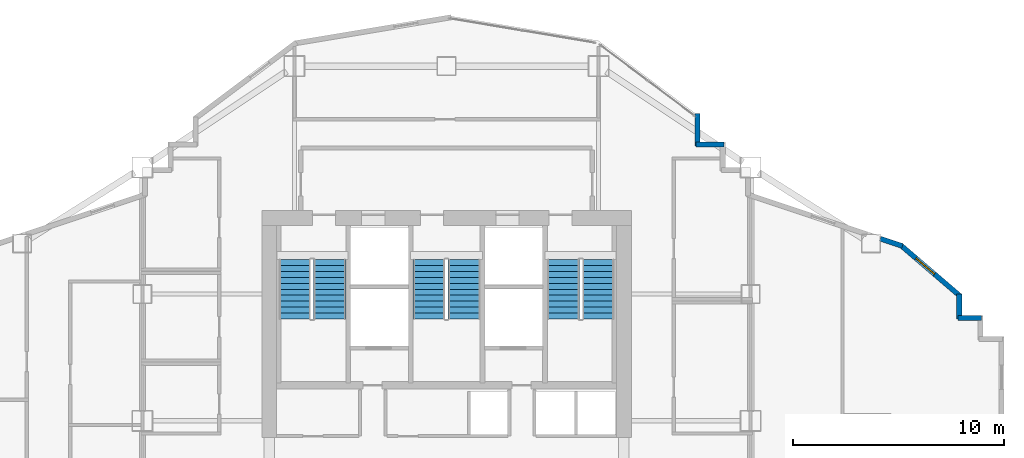
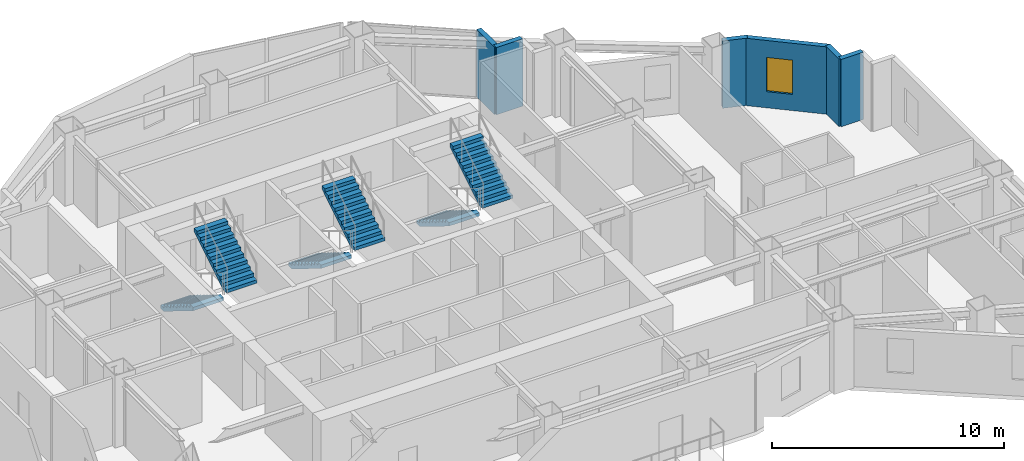
# One storey, part 12 of 14: 6 stair flights, 6 walls, 1 window, 1 opening, 3 elements without a shape of their own.
"""IFC4 building model written with IfcOpenShell, lengths in metres."""

import ifcopenshell
import ifcopenshell.guid

model = None  # the IFC model being written
_history = None  # IfcOwnerHistory: only IFC2X3 demands one
_inside = {}  # id of a spatial element -> (the spatial element, [elements in it])
_under = {}  # id of a project, library or spatial element -> (it, [spatial elements below it])
_declared = {}  # id of a project -> (the project, [libraries it declares])
_typed = {}  # id of a type object -> (the type object, [elements of that type])
_made_of = {}  # id of a material, layer set ... -> (it, [elements and type objects made of it])


def new_model(schema):
    """Start an empty IFC model of exactly this schema.

    Asked for "IFC4X3", IfcOpenShell would pick the latest addendum, in which some entities
    have other attributes; the version numbers below select the first issue.
    IFC2X3 requires an IfcOwnerHistory on every rooted entity: one is made here for all.
    """
    global model, _history
    if schema == "IFC4X3":
        model = ifcopenshell.file(schema_version=(4, 3, 0, 0))
    else:
        model = ifcopenshell.file(schema=schema)
    _inside.clear()
    _under.clear()
    _declared.clear()
    _typed.clear()
    _made_of.clear()
    _history = None
    if model.schema == "IFC2X3":
        org = make("IfcOrganization", Name="unknown")
        user = make(
            "IfcPersonAndOrganization",
            ThePerson=make("IfcPerson", FamilyName="unknown"),
            TheOrganization=org,
        )
        app = make(
            "IfcApplication",
            ApplicationDeveloper=org,
            Version="unknown",
            ApplicationFullName="unknown",
            ApplicationIdentifier="unknown",
        )
        _history = make(
            "IfcOwnerHistory",
            OwningUser=user,
            OwningApplication=app,
            ChangeAction="ADDED",
            CreationDate=0,
        )
    return model


def make(cls, **values):
    """One entity of the class cls with the attributes given. An attribute that is None is left unset."""
    return model.create_entity(
        cls, **{name: value for name, value in values.items() if value is not None}
    )


def rooted(cls, **values):
    """An entity with a GlobalId (a new one), such as an element, a storey or a relation."""
    return make(cls, GlobalId=ifcopenshell.guid.new(), OwnerHistory=_history, **values)


def si_unit(unit_type, name, prefix=None):
    """IfcSIUnit, for example si_unit("LENGTHUNIT", "METRE", prefix="MILLI")."""
    return make("IfcSIUnit", UnitType=unit_type, Prefix=prefix, Name=name)


def assignment(units):
    """IfcUnitAssignment: the units of a project."""
    return None if units is None else make("IfcUnitAssignment", Units=units)


def point(xyz):
    """IfcCartesianPoint."""
    return None if xyz is None else make("IfcCartesianPoint", Coordinates=xyz)


def direction(xyz):
    """IfcDirection."""
    return None if xyz is None else make("IfcDirection", DirectionRatios=xyz)


def frame(location, z_axis=None, x_axis=None):
    """IfcAxis2Placement3D, a coordinate frame: its origin and axes. An axis left out is left unset."""
    return make(
        "IfcAxis2Placement3D",
        Location=point(location),
        Axis=direction(z_axis),
        RefDirection=direction(x_axis),
    )


def frame_2d(location, x_axis=None):
    """IfcAxis2Placement2D, a coordinate frame in the plane: its origin and x axis."""
    return make(
        "IfcAxis2Placement2D", Location=point(location), RefDirection=direction(x_axis)
    )


def origin():
    """The frame at (0, 0, 0) with its axes left unset."""
    return frame((0.0, 0.0, 0.0))


def place(relative_to, where):
    """IfcLocalPlacement: puts the frame where relative to a parent placement (None: the world)."""
    return make(
        "IfcLocalPlacement", PlacementRelTo=relative_to, RelativePlacement=where
    )


def context(
    kind, dimensions, precision=None, world=None, true_north=None, identifier=None
):
    """IfcGeometricRepresentationContext, for example the 3D "Model" context."""
    return make(
        "IfcGeometricRepresentationContext",
        ContextIdentifier=identifier,
        ContextType=kind,
        CoordinateSpaceDimension=dimensions,
        Precision=precision,
        WorldCoordinateSystem=world,
        TrueNorth=true_north,
    )


def subcontext(parent, identifier, kind, view, scale=None):
    """IfcGeometricRepresentationSubContext, for example "Body" below "Model"."""
    return make(
        "IfcGeometricRepresentationSubContext",
        ContextIdentifier=identifier,
        ContextType=kind,
        ParentContext=parent,
        TargetScale=scale,
        TargetView=view,
    )


def project(units=None, contexts=None):
    """IfcProject with its units and contexts."""
    return rooted(
        "IfcProject",
        Name="project",
        RepresentationContexts=contexts,
        UnitsInContext=assignment(units),
    )


def spatial(cls, under=None, at=None, **own):
    """A site, building, storey or space (cls), placed at a placement, below another one or the project."""
    s = rooted(cls, ObjectPlacement=at, **own)
    if under is not None:
        _under.setdefault(under.id(), (under, []))[1].append(s)
    return s


def polyline(points):
    """IfcPolyline through the points."""
    return make("IfcPolyline", Points=[point(p) for p in points])


def profile(cls, at=None, kind="AREA", **sizes):
    """A parametric profile (cls). Its sizes go by their IFC names, for example OverallWidth=200.0."""
    return make(cls, ProfileType=kind, Position=at, **sizes)


def rectangle(**sizes):
    """IfcRectangleProfileDef."""
    return profile("IfcRectangleProfileDef", **sizes)


def outline(outer, holes=None, kind="AREA"):
    """IfcArbitraryClosedProfileDef: a profile drawn as a closed curve; with holes, ...WithVoids."""
    if holes is None:
        return make("IfcArbitraryClosedProfileDef", ProfileType=kind, OuterCurve=outer)
    return make(
        "IfcArbitraryProfileDefWithVoids",
        ProfileType=kind,
        OuterCurve=outer,
        InnerCurves=holes,
    )


def extrude(swept, where, along, depth):
    """IfcExtrudedAreaSolid: the profile swept, set in the frame where, extruded along a direction by depth."""
    return make(
        "IfcExtrudedAreaSolid",
        SweptArea=swept,
        Position=where,
        ExtrudedDirection=direction(along),
        Depth=depth,
    )


def shape(context_of_items, identifier, shape_type, items):
    """IfcShapeRepresentation: the items that make up one representation, for example the "Body"."""
    return make(
        "IfcShapeRepresentation",
        ContextOfItems=context_of_items,
        RepresentationIdentifier=identifier,
        RepresentationType=shape_type,
        Items=items,
    )


def material(Name=None, Category=None):
    """IfcMaterial."""
    return make("IfcMaterial", Name=Name, Category=Category)


def layer(
    of_material, thickness, ventilated=None, Name=None, Category=None, Priority=None
):
    """IfcMaterialLayer: one layer of a wall or slab, of a material (None: an air gap)."""
    return make(
        "IfcMaterialLayer",
        Material=of_material,
        LayerThickness=thickness,
        IsVentilated=ventilated,
        Name=Name,
        Category=Category,
        Priority=Priority,
    )


def layer_set(layers, Name=None):
    """IfcMaterialLayerSet."""
    return make("IfcMaterialLayerSet", MaterialLayers=layers, LayerSetName=Name)


def made_of(thing, what):
    """Note that an element or type object is made of a material, layer set ...; save() writes the relation."""
    if what is not None:
        _made_of.setdefault(what.id(), (what, []))[1].append(thing)
    return thing


def type_object(cls, material=None, **own):
    """A type object (cls), such as IfcWallType, which elements share."""
    return made_of(rooted(cls, **own), material)


def element(
    cls,
    number,
    at=None,
    inside=None,
    cuts=None,
    type_object=None,
    material=None,
    context=None,
    identifier="Body",
    shape_type=None,
    held_by="IfcProductDefinitionShape",
    body=None,
    shapes=None,
    **own,
):
    """One element of the class cls, such as IfcWall. Its Tag is "e" and its number.

    at: its placement. inside: the storey or other place that contains it. cuts: it is an
    opening in that element (IfcRelVoidsElement). A single representation is given by context,
    identifier, shape_type and body (its items); several are given by shapes. held_by: the class
    of the entity that holds the representations. save() writes the other relations.
    """
    e = rooted(cls, Tag="e%d" % number, ObjectPlacement=at, **own)
    if body is not None:
        shapes = [shape(context, identifier, shape_type, body)]
    if shapes is not None:
        e.Representation = make(held_by, Representations=shapes)
    if inside is not None:
        _inside.setdefault(inside.id(), (inside, []))[1].append(e)
    if cuts is not None:
        rooted(
            "IfcRelVoidsElement", RelatingBuildingElement=cuts, RelatedOpeningElement=e
        )
    if type_object is not None:
        _typed.setdefault(type_object.id(), (type_object, []))[1].append(e)
    return made_of(e, material)


def fill(opening, filler):
    """IfcRelFillsElement: the door or window that sits in an opening."""
    return rooted(
        "IfcRelFillsElement",
        RelatingOpeningElement=opening,
        RelatedBuildingElement=filler,
    )


def aggregate(whole, parts):
    """IfcRelAggregates: a whole, such as a stair, and the parts it consists of."""
    return rooted("IfcRelAggregates", RelatingObject=whole, RelatedObjects=parts)


def save(model, path):
    """Write the relations noted so far, then the file.

    IfcRelAggregates (storeys below a building ...), IfcRelContainedInSpatialStructure (elements
    in a storey), IfcRelDefinesByType, IfcRelAssociatesMaterial and IfcRelDeclares: one each for
    every whole, place, type object, material and project.
    """
    for whole, parts in _under.values():
        aggregate(whole, parts)
    for where, things in _inside.values():
        rooted(
            "IfcRelContainedInSpatialStructure",
            RelatedElements=things,
            RelatingStructure=where,
        )
    for kind, things in _typed.values():
        rooted("IfcRelDefinesByType", RelatedObjects=things, RelatingType=kind)
    for what, things in _made_of.values():
        rooted("IfcRelAssociatesMaterial", RelatedObjects=things, RelatingMaterial=what)
    for by, libraries in _declared.values():
        rooted("IfcRelDeclares", RelatingContext=by, RelatedDefinitions=libraries)
    model.write(path)


model = new_model("IFC4")

# Units and contexts
model_context = context("Model", 3, precision=1e-05, world=origin(), true_north=direction((0.0, 1.0)))
body_context = subcontext(model_context, "Body", "Model", "MODEL_VIEW")
ifc_project = project(units=[si_unit("LENGTHUNIT", "METRE"), si_unit("AREAUNIT", "SQUARE_METRE"), si_unit("VOLUMEUNIT", "CUBIC_METRE"), si_unit("PLANEANGLEUNIT", "RADIAN"), si_unit("MASSUNIT", "GRAM", prefix="KILO")], contexts=[model_context])

# Site, building, storey
site_placement = place(None, origin())
site = spatial("IfcSite", under=ifc_project, at=site_placement, CompositionType="ELEMENT")
building_placement = place(site_placement, origin())
building = spatial("IfcBuilding", under=site, at=building_placement, Name="Haolan Belvedere Tower", CompositionType="ELEMENT")
storey_placement = place(building_placement, frame((0.0, 0.0, 132.60009765625)))
storey = spatial("IfcBuildingStorey", under=building, at=storey_placement, Name="L33", CompositionType="ELEMENT", Elevation=132.60009765625)

# Walls
ifc_material_1 = material(Name="Precast concrete C40/50", Category="concrete")
ifc_layer = layer(ifc_material_1, 0.239990234375, Name="Precast concrete C40/50")
ifc_layer_set = layer_set([ifc_layer], Name="Precast concrete C40/50")
wall_type = type_object("IfcWallType", Name="WL-EXT-240", PredefinedType="SOLIDWALL", material=ifc_layer_set)
wall_1_placement = place(storey_placement, frame((63.735107421875, 38.47998046875, 0.0), z_axis=(0.0, 0.0, 1.0), x_axis=(-1.0, 0.0, 0.0)))
element("IfcWall", 1, at=wall_1_placement, inside=storey, type_object=wall_type, Name="L33 pale-metal exterior spandrel wall 17.1", PredefinedType="SOLIDWALL", context=body_context, shape_type="SweptSolid", body=[
    extrude(rectangle(XDim=1.110107421875, YDim=0.239990234375, at=frame_2d((0.55517578125, 0.0))), origin(), (0.0, 0.0, 1.0), 3.539794921875),
])
wall_2_placement = place(storey_placement, frame((62.679931640625, 38.425048828125, 0.0), z_axis=(0.0, 0.0, 1.0), x_axis=(0.0, 1.0, 0.0)))
element("IfcWall", 2, at=wall_2_placement, inside=storey, type_object=wall_type, Name="L33 pale-metal exterior spandrel wall 18.1", PredefinedType="SOLIDWALL", context=body_context, shape_type="SweptSolid", body=[
    extrude(rectangle(XDim=1.1748046875, YDim=0.239990234375, at=frame_2d((0.58740234375, 0.0))), origin(), (0.0, 0.0, 1.0), 3.539794921875),
])

# Wall, opening, window
wall_3_placement = place(storey_placement, frame((62.7216796875, 39.509033203125, 0.0), z_axis=(0.0, 0.0, 1.0), x_axis=(-0.759247334792, 0.650802185469, 0.0)))
wall_3 = element("IfcWall", 3, at=wall_3_placement, inside=storey, type_object=wall_type, Name="L33 pale-metal exterior spandrel wall 19.1", PredefinedType="SOLIDWALL", context=body_context, shape_type="SweptSolid", body=[
    extrude(rectangle(XDim=3.71923828125, YDim=0.239990234375, at=frame_2d((1.859619140625, 0.0))), origin(), (0.0, 0.0, 1.0), 3.539794921875),
])
opening_placement = place(wall_3_placement, frame((1.60009765625, 0.0, 0.85009765625)))
opening = element("IfcOpeningElement", 4, at=opening_placement, cuts=wall_3, Name="Opening W-02", PredefinedType="OPENING", context=body_context, shape_type="SweptSolid", body=[
    extrude(rectangle(XDim=1.14990234375, YDim=1.800048828125, at=frame_2d((0.574951171875, 0.89990234375))), frame((0.0, 0.1298828125, 0.0), z_axis=(0.0, -1.0, 0.0), x_axis=(1.0, 0.0, 0.0)), (0.0, 0.0, 1.0), 0.260009765625),
])
ifc_material_2 = material(Name="Anodised aluminium 6063-T6 and Low-E glass", Category="aluminium")
window_type = type_object("IfcWindowType", Name="WN-DECO-Z2", PartitioningType="SINGLE_PANEL", PredefinedType="WINDOW", material=ifc_material_2)
window_placement = place(opening_placement, origin())
window = element("IfcWindow", 5, at=window_placement, inside=storey, type_object=window_type, Name="L33 Art Deco chevron window 1", OverallHeight=1.800048828125, OverallWidth=1.14990234375, PartitioningType="SINGLE_PANEL", PredefinedType="WINDOW", context=body_context, shape_type="SweptSolid", body=[
    extrude(rectangle(XDim=1.14990234375, YDim=1.800048828125, at=frame_2d((0.574951171875, 0.89990234375))), frame((0.0, 0.030029296875, 0.0), z_axis=(0.0, -1.0, 0.0), x_axis=(1.0, 0.0, 0.0)), (0.0, 0.0, 1.0), 0.06005859375),
])
fill(opening, window)

# Walls
wall_4_placement = place(storey_placement, frame((59.991943359375, 41.876220703125, 0.0), z_axis=(0.0, 0.0, 1.0), x_axis=(-0.948661238983, 0.316293935527, 0.0)))
element("IfcWall", 6, at=wall_4_placement, inside=storey, type_object=wall_type, Name="L33 pale-metal exterior spandrel wall 20.1", PredefinedType="SOLIDWALL", context=body_context, shape_type="SweptSolid", body=[
    extrude(rectangle(XDim=1.10693359375, YDim=0.239990234375, at=frame_2d((0.553466796875, 0.0))), origin(), (0.0, 0.0, 1.0), 3.539794921875),
])
wall_5_placement = place(storey_placement, frame((51.534912109375, 46.679931640625, 0.0), z_axis=(0.0, 0.0, 1.0), x_axis=(-1.0, 0.0, 0.0)))
element("IfcWall", 7, at=wall_5_placement, inside=storey, type_object=wall_type, Name="L33 pale-metal exterior spandrel wall 24.1", PredefinedType="SOLIDWALL", context=body_context, shape_type="SweptSolid", body=[
    extrude(rectangle(XDim=1.309814453125, YDim=0.239990234375, at=frame_2d((0.65478515625, 0.0))), origin(), (0.0, 0.0, 1.0), 3.539794921875),
])
wall_6_placement = place(storey_placement, frame((50.280029296875, 46.625, 0.0), z_axis=(0.0, 0.0, 1.0), x_axis=(0.0, 1.0, 0.0)))
element("IfcWall", 8, at=wall_6_placement, inside=storey, type_object=wall_type, Name="L33 pale-metal exterior spandrel wall 25.1", PredefinedType="SOLIDWALL", context=body_context, shape_type="SweptSolid", body=[
    extrude(rectangle(XDim=1.5400390625, YDim=0.239990234375, at=frame_2d((0.77001953125, 0.0))), origin(), (0.0, 0.0, 1.0), 3.539794921875),
])

# Stair, stair flights
ifc_material_3 = material(Name="Concrete C40/50", Category="concrete")
stair_type = type_object("IfcStairType", Name="STR-DL-22R-173", PredefinedType="HALF_TURN_STAIR", material=ifc_material_3)
stair_1_placement = place(storey_placement, origin())
stair_1 = element("IfcStair", 9, at=stair_1_placement, inside=storey, type_object=stair_type, Name="L33 Smokeproof Core Exit Stair ST1", PredefinedType="HALF_TURN_STAIR")
stair_flight_type = type_object("IfcStairFlightType", Name="SFL-DL-11R-173", PredefinedType="STRAIGHT", material=ifc_material_3)
stair_flight_1_placement = place(storey_placement, frame((31.2099609375, 41.22998046875, 0.0), z_axis=(0.0, 0.0, 1.0), x_axis=(0.0, -1.0, 0.0)))
stair_flight_1 = element("IfcStairFlight", 10, at=stair_flight_1_placement, type_object=stair_flight_type, Name="ST1 flight 1", NumberOfRisers=11, NumberOfTreads=10, PredefinedType="STRAIGHT", RiserHeight=0.172727273, TreadLength=0.28, context=body_context, shape_type="SweptSolid", body=[
    extrude(outline(polyline([(0.0, 0.0), (0.0, 0.172607421875), (0.280029296875, 0.172607421875), (0.280029296875, 0.345458984375), (0.56005859375, 0.345458984375), (0.56005859375, 0.51806640625), (0.840087890625, 0.51806640625), (0.840087890625, 0.69091796875), (1.1201171875, 0.69091796875), (1.1201171875, 0.863525390625), (1.39990234375, 0.863525390625), (1.39990234375, 1.036376953125), (1.679931640625, 1.036376953125), (1.679931640625, 1.208984375), (1.9599609375, 1.208984375), (1.9599609375, 1.3818359375), (2.239990234375, 1.3818359375), (2.239990234375, 1.554443359375), (2.52001953125, 1.554443359375), (2.52001953125, 1.727294921875), (2.800048828125, 1.727294921875), (2.800048828125, 1.89990234375), (2.800048828125, 1.551025390625), (0.285400390625, 0.0), (0.0, 0.0)])), frame((0.0, 0.760009765625, 0.0), z_axis=(0.0, -1.0, 0.0), x_axis=(1.0, 0.0, 0.0)), (0.0, 0.0, 1.0), 1.52001953125),
])
stair_flight_2_placement = place(storey_placement, frame((32.8701171875, 38.429931640625, 1.89990234375), z_axis=(0.0, 0.0, 1.0), x_axis=(0.0, 1.0, 0.0)))
stair_flight_2 = element("IfcStairFlight", 11, at=stair_flight_2_placement, type_object=stair_flight_type, Name="ST1 flight 2", NumberOfRisers=11, NumberOfTreads=10, PredefinedType="STRAIGHT", RiserHeight=0.172727273, TreadLength=0.28, context=body_context, shape_type="SweptSolid", body=[
    extrude(outline(polyline([(0.0, 0.0), (0.0, 0.172607421875), (0.280029296875, 0.172607421875), (0.280029296875, 0.345458984375), (0.56005859375, 0.345458984375), (0.56005859375, 0.51806640625), (0.840087890625, 0.51806640625), (0.840087890625, 0.69091796875), (1.1201171875, 0.69091796875), (1.1201171875, 0.863525390625), (1.39990234375, 0.863525390625), (1.39990234375, 1.036376953125), (1.679931640625, 1.036376953125), (1.679931640625, 1.208984375), (1.9599609375, 1.208984375), (1.9599609375, 1.3818359375), (2.239990234375, 1.3818359375), (2.239990234375, 1.554443359375), (2.52001953125, 1.554443359375), (2.52001953125, 1.727294921875), (2.800048828125, 1.727294921875), (2.800048828125, 1.89990234375), (2.800048828125, 1.551025390625), (0.285400390625, 0.0), (0.0, 0.0)])), frame((0.0, 0.760009765625, 0.0), z_axis=(0.0, -1.0, 0.0), x_axis=(1.0, 0.0, 0.0)), (0.0, 0.0, 1.0), 1.52001953125),
])
aggregate(stair_1, [stair_flight_1, stair_flight_2])

stair_2_placement = place(storey_placement, origin())
stair_2 = element("IfcStair", 12, at=stair_2_placement, inside=storey, type_object=stair_type, Name="L33 Smokeproof Core Exit Stair ST3", PredefinedType="HALF_TURN_STAIR")
stair_flight_3_placement = place(storey_placement, frame((37.570068359375, 41.22998046875, 0.0), z_axis=(0.0, 0.0, 1.0), x_axis=(0.0, -1.0, 0.0)))
stair_flight_3 = element("IfcStairFlight", 13, at=stair_flight_3_placement, type_object=stair_flight_type, Name="ST3 flight 1", NumberOfRisers=11, NumberOfTreads=10, PredefinedType="STRAIGHT", RiserHeight=0.172727273, TreadLength=0.28, context=body_context, shape_type="SweptSolid", body=[
    extrude(outline(polyline([(0.0, 0.0), (0.0, 0.172607421875), (0.280029296875, 0.172607421875), (0.280029296875, 0.345458984375), (0.56005859375, 0.345458984375), (0.56005859375, 0.51806640625), (0.840087890625, 0.51806640625), (0.840087890625, 0.69091796875), (1.1201171875, 0.69091796875), (1.1201171875, 0.863525390625), (1.39990234375, 0.863525390625), (1.39990234375, 1.036376953125), (1.679931640625, 1.036376953125), (1.679931640625, 1.208984375), (1.9599609375, 1.208984375), (1.9599609375, 1.3818359375), (2.239990234375, 1.3818359375), (2.239990234375, 1.554443359375), (2.52001953125, 1.554443359375), (2.52001953125, 1.727294921875), (2.800048828125, 1.727294921875), (2.800048828125, 1.89990234375), (2.800048828125, 1.551025390625), (0.285400390625, 0.0), (0.0, 0.0)])), frame((0.0, 0.760009765625, 0.0), z_axis=(0.0, -1.0, 0.0), x_axis=(1.0, 0.0, 0.0)), (0.0, 0.0, 1.0), 1.52001953125),
])
stair_flight_4_placement = place(storey_placement, frame((39.22998046875, 38.429931640625, 1.89990234375), z_axis=(0.0, 0.0, 1.0), x_axis=(0.0, 1.0, 0.0)))
stair_flight_4 = element("IfcStairFlight", 14, at=stair_flight_4_placement, type_object=stair_flight_type, Name="ST3 flight 2", NumberOfRisers=11, NumberOfTreads=10, PredefinedType="STRAIGHT", RiserHeight=0.172727273, TreadLength=0.28, context=body_context, shape_type="SweptSolid", body=[
    extrude(outline(polyline([(0.0, 0.0), (0.0, 0.172607421875), (0.280029296875, 0.172607421875), (0.280029296875, 0.345458984375), (0.56005859375, 0.345458984375), (0.56005859375, 0.51806640625), (0.840087890625, 0.51806640625), (0.840087890625, 0.69091796875), (1.1201171875, 0.69091796875), (1.1201171875, 0.863525390625), (1.39990234375, 0.863525390625), (1.39990234375, 1.036376953125), (1.679931640625, 1.036376953125), (1.679931640625, 1.208984375), (1.9599609375, 1.208984375), (1.9599609375, 1.3818359375), (2.239990234375, 1.3818359375), (2.239990234375, 1.554443359375), (2.52001953125, 1.554443359375), (2.52001953125, 1.727294921875), (2.800048828125, 1.727294921875), (2.800048828125, 1.89990234375), (2.800048828125, 1.551025390625), (0.285400390625, 0.0), (0.0, 0.0)])), frame((0.0, 0.760009765625, 0.0), z_axis=(0.0, -1.0, 0.0), x_axis=(1.0, 0.0, 0.0)), (0.0, 0.0, 1.0), 1.52001953125),
])
aggregate(stair_2, [stair_flight_3, stair_flight_4])

stair_3_placement = place(storey_placement, origin())
stair_3 = element("IfcStair", 15, at=stair_3_placement, inside=storey, type_object=stair_type, Name="L33 Smokeproof Core Exit Stair ST2", PredefinedType="HALF_TURN_STAIR")
stair_flight_5_placement = place(storey_placement, frame((43.929931640625, 41.22998046875, 0.0), z_axis=(0.0, 0.0, 1.0), x_axis=(0.0, -1.0, 0.0)))
stair_flight_5 = element("IfcStairFlight", 16, at=stair_flight_5_placement, type_object=stair_flight_type, Name="ST2 flight 1", NumberOfRisers=11, NumberOfTreads=10, PredefinedType="STRAIGHT", RiserHeight=0.172727273, TreadLength=0.28, context=body_context, shape_type="SweptSolid", body=[
    extrude(outline(polyline([(0.0, 0.0), (0.0, 0.172607421875), (0.280029296875, 0.172607421875), (0.280029296875, 0.345458984375), (0.56005859375, 0.345458984375), (0.56005859375, 0.51806640625), (0.840087890625, 0.51806640625), (0.840087890625, 0.69091796875), (1.1201171875, 0.69091796875), (1.1201171875, 0.863525390625), (1.39990234375, 0.863525390625), (1.39990234375, 1.036376953125), (1.679931640625, 1.036376953125), (1.679931640625, 1.208984375), (1.9599609375, 1.208984375), (1.9599609375, 1.3818359375), (2.239990234375, 1.3818359375), (2.239990234375, 1.554443359375), (2.52001953125, 1.554443359375), (2.52001953125, 1.727294921875), (2.800048828125, 1.727294921875), (2.800048828125, 1.89990234375), (2.800048828125, 1.551025390625), (0.285400390625, 0.0), (0.0, 0.0)])), frame((0.0, 0.760009765625, 0.0), z_axis=(0.0, -1.0, 0.0), x_axis=(1.0, 0.0, 0.0)), (0.0, 0.0, 1.0), 1.52001953125),
])
stair_flight_6_placement = place(storey_placement, frame((45.590087890625, 38.429931640625, 1.89990234375), z_axis=(0.0, 0.0, 1.0), x_axis=(0.0, 1.0, 0.0)))
stair_flight_6 = element("IfcStairFlight", 17, at=stair_flight_6_placement, type_object=stair_flight_type, Name="ST2 flight 2", NumberOfRisers=11, NumberOfTreads=10, PredefinedType="STRAIGHT", RiserHeight=0.172727273, TreadLength=0.28, context=body_context, shape_type="SweptSolid", body=[
    extrude(outline(polyline([(0.0, 0.0), (0.0, 0.172607421875), (0.280029296875, 0.172607421875), (0.280029296875, 0.345458984375), (0.56005859375, 0.345458984375), (0.56005859375, 0.51806640625), (0.840087890625, 0.51806640625), (0.840087890625, 0.69091796875), (1.1201171875, 0.69091796875), (1.1201171875, 0.863525390625), (1.39990234375, 0.863525390625), (1.39990234375, 1.036376953125), (1.679931640625, 1.036376953125), (1.679931640625, 1.208984375), (1.9599609375, 1.208984375), (1.9599609375, 1.3818359375), (2.239990234375, 1.3818359375), (2.239990234375, 1.554443359375), (2.52001953125, 1.554443359375), (2.52001953125, 1.727294921875), (2.800048828125, 1.727294921875), (2.800048828125, 1.89990234375), (2.800048828125, 1.551025390625), (0.285400390625, 0.0), (0.0, 0.0)])), frame((0.0, 0.760009765625, 0.0), z_axis=(0.0, -1.0, 0.0), x_axis=(1.0, 0.0, 0.0)), (0.0, 0.0, 1.0), 1.52001953125),
])
aggregate(stair_3, [stair_flight_5, stair_flight_6])

save(model, "model.ifc")
